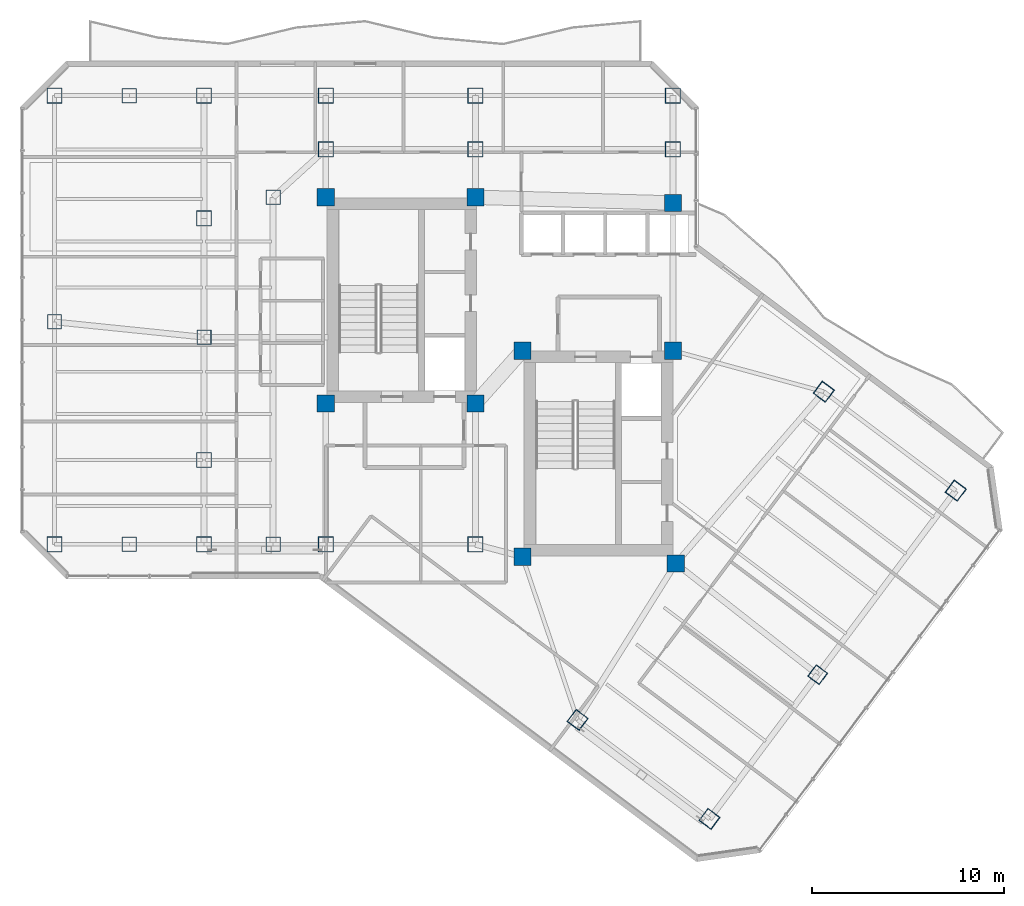
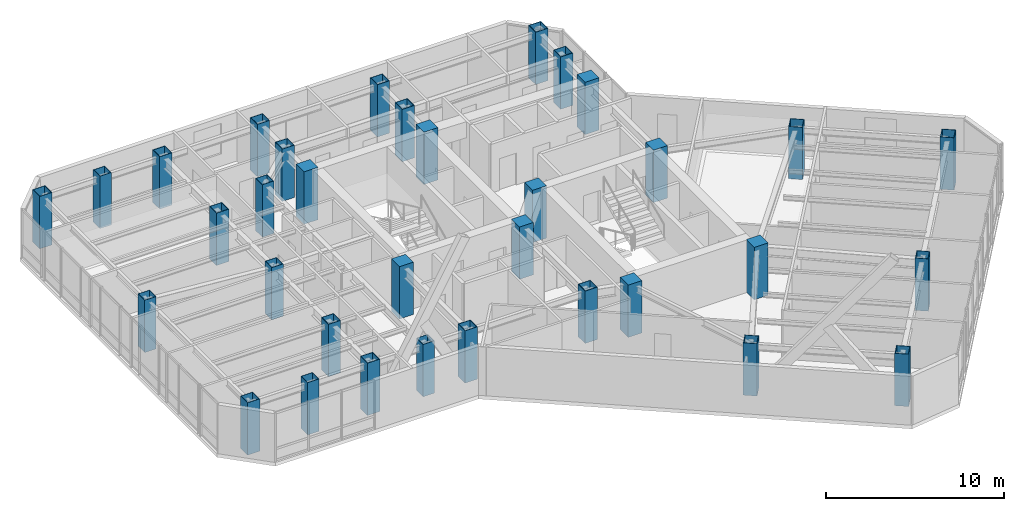
# One storey, part 1 of 27: 34 columns.
"""IFC4 building model written with IfcOpenShell, lengths in metres."""

from ifc_helpers import new_model, si_unit, direction, frame, origin, origin_2d, place, context, subcontext, project, spatial, rectangle, hollow_rectangle, extrude, material, material_profile, profile_set, type_object, element, save


model = new_model("IFC4")

# Units and contexts
model_context = context("Model", 3, precision=1e-05, world=origin(), true_north=direction((0.0, 1.0)))
body_context = subcontext(model_context, "Body", "Model", "MODEL_VIEW")
ifc_project = project(units=[si_unit("LENGTHUNIT", "METRE"), si_unit("AREAUNIT", "SQUARE_METRE"), si_unit("VOLUMEUNIT", "CUBIC_METRE"), si_unit("PLANEANGLEUNIT", "RADIAN"), si_unit("MASSUNIT", "GRAM", prefix="KILO")], contexts=[model_context])

# Site, building, storey
site_placement = place(None, origin())
site = spatial("IfcSite", under=ifc_project, at=site_placement, CompositionType="ELEMENT")
building_placement = place(site_placement, origin())
building = spatial("IfcBuilding", under=site, at=building_placement, Name="Hatsunagi Terrace Concourse", CompositionType="ELEMENT")
storey_placement = place(building_placement, frame((0.0, 0.0, 167.25)))
storey = spatial("IfcBuildingStorey", under=building, at=storey_placement, Name="L44", CompositionType="ELEMENT", Elevation=167.25)

# Columns
ifc_material_1 = material(Name="Concrete Fc48", Category="concrete")
ifc_material_profile_1 = material_profile(ifc_material_1, rectangle(XDim=0.89990234375, YDim=0.89990234375, at=origin_2d()), Name="RC-900x900")
ifc_profile_set_1 = profile_set([ifc_material_profile_1], Name="Concrete Fc48")
column_type_1 = type_object("IfcColumnType", Name="CoreColumn_RC_900x900", PredefinedType="COLUMN", material=ifc_profile_set_1)
for number, where, z_axis, x_axis, name in (
    (1, (25.550048828125, 32.550048828125, 0.0), (0.0, 0.0, 1.0), (1.0, 0.0, 0.0), "Column C-02 L44-CASW"),
    (2, (33.35009765625, 32.550048828125, 0.0), (0.0, 0.0, 1.0), (1.0, 0.0, 0.0), "Column C-02 L44-CASE"),
    (3, (25.550048828125, 43.300048828125, 0.0), (0.0, 0.0, 1.0), (1.0, 0.0, 0.0), "Column C-02 L44-CANW"),
    (4, (33.35009765625, 43.300048828125, 0.0), (0.0, 0.0, 1.0), (1.0, 0.0, 0.0), "Column C-02 L44-CANE"),
    (5, (35.800048828125, 24.550048828125, 0.0), (0.0, 0.0, 1.0), (1.0, 0.0, 0.0), "Column C-02 L44-CBSW"),
    (6, (43.800048828125, 24.199951171875, 0.0), (0.0, 0.0, 1.0), (1.0, 0.0, 0.0), "Column C-02 L44-CBSE"),
    (7, (35.800048828125, 35.300048828125, 0.0), (0.0, 0.0, 1.0), (1.0, 0.0, 0.0), "Column C-02 L44-CBNW"),
    (8, (43.64990234375, 35.300048828125, 0.0), (0.0, 0.0, 1.0), (1.0, 0.0, 0.0), "Column C-02 L44-CBNE"),
    (9, (43.64990234375, 43.0, 0.0), (0.0, 0.0, 1.0), (1.0, 0.0, 0.0), "Column C-02 L44-K3"),
):
    element("IfcColumn", number, at=place(storey_placement, frame(where, z_axis=z_axis, x_axis=x_axis)), inside=storey, type_object=column_type_1, Name=name, PredefinedType="COLUMN", context=body_context, shape_type="SweptSolid", body=[
        extrude(rectangle(XDim=0.89990234375, YDim=0.89990234375, at=origin_2d()), origin(), (0.0, 0.0, 1.0), 3.60009765625),
    ])
ifc_material_2 = material(Name="Steel BCP325T", Category="steel")
ifc_material_profile_2 = material_profile(ifc_material_2, hollow_rectangle(XDim=0.75, YDim=0.75, WallThickness=0.028076171875, at=origin_2d()), Name="BCP-750x750x28")
ifc_profile_set_2 = profile_set([ifc_material_profile_2], Name="Steel BCP325T")
column_type_2 = type_object("IfcColumnType", Name="TowerBoxColumn_750x750x28", PredefinedType="COLUMN", material=ifc_profile_set_2)
for number, where, z_axis, x_axis, name in (
    (10, (22.800048828125, 25.199951171875, 0.0), (0.0, 0.0, 1.0), (1.0, 0.0, 0.0), "Column C-07 L44-CW1"),
    (11, (22.800048828125, 43.300048828125, 0.0), (0.0, 0.0, 1.0), (1.0, 0.0, 0.0), "Column C-07 L44-CW2"),
    (12, (11.39990234375, 36.800048828125, 0.0), (0.0, 0.0, 1.0), (1.0, 0.0, 0.0), "Column C-07 L44-WT1"),
    (13, (19.199951171875, 36.0, 0.0), (0.0, 0.0, 1.0), (1.0, 0.0, 0.0), "Column C-07 L44-WT2"),
    (14, (15.300048828125, 25.199951171875, 0.0), (0.0, 0.0, 1.0), (1.0, 0.0, 0.0), "Column C-07 L44-WT3"),
    (15, (15.300048828125, 48.60009765625, 0.0), (0.0, 0.0, 1.0), (1.0, 0.0, 0.0), "Column C-07 L44-WT4"),
    (16, (51.199951171875, 18.39990234375, 0.0), (0.0, 0.0, 1.0), (0.799999996291, -0.600000004945, 0.0), "Column C-07 L44-SEM2"),
):
    element("IfcColumn", number, at=place(storey_placement, frame(where, z_axis=z_axis, x_axis=x_axis)), inside=storey, type_object=column_type_2, Name=name, PredefinedType="COLUMN", context=body_context, shape_type="SweptSolid", body=[
        extrude(hollow_rectangle(XDim=0.75, YDim=0.75, WallThickness=0.028076171875, at=origin_2d()), origin(), (0.0, 0.0, 1.0), 3.60009765625),
    ])
ifc_material_3 = material(Name="Steel BCP325T", Category="steel")
ifc_material_profile_3 = material_profile(ifc_material_3, hollow_rectangle(XDim=0.800048828125, YDim=0.800048828125, WallThickness=0.031982421875, at=origin_2d()), Name="BCP-800x800x32")
ifc_profile_set_3 = profile_set([ifc_material_profile_3], Name="Steel BCP325T")
column_type_3 = type_object("IfcColumnType", Name="TowerBoxColumn_800x800x32", PredefinedType="COLUMN", material=ifc_profile_set_3)
for number, where, z_axis, x_axis, name in (
    (17, (25.550048828125, 25.199951171875, 0.0), (0.0, 0.0, 1.0), (1.0, 0.0, 0.0), "Column C-06 L44-K1"),
    (18, (33.35009765625, 25.199951171875, 0.0), (0.0, 0.0, 1.0), (1.0, 0.0, 0.0), "Column C-06 L44-K2"),
    (19, (25.550048828125, 45.800048828125, 0.0), (0.0, 0.0, 1.0), (1.0, 0.0, 0.0), "Column C-06 L44-CN1"),
    (20, (33.35009765625, 45.800048828125, 0.0), (0.0, 0.0, 1.0), (1.0, 0.0, 0.0), "Column C-06 L44-CN2"),
    (21, (43.64990234375, 45.800048828125, 0.0), (0.0, 0.0, 1.0), (1.0, 0.0, 0.0), "Column C-06 L44-CN3"),
    (22, (11.39990234375, 25.199951171875, 0.0), (0.0, 0.0, 1.0), (1.0, 0.0, 0.0), "Column C-06 L44-WS2"),
    (23, (11.39990234375, 48.60009765625, 0.0), (0.0, 0.0, 1.0), (1.0, 0.0, 0.0), "Column C-06 L44-WN2"),
    (24, (19.199951171875, 48.60009765625, 0.0), (0.0, 0.0, 1.0), (1.0, 0.0, 0.0), "Column C-06 L44-WN3"),
    (25, (25.550048828125, 48.60009765625, 0.0), (0.0, 0.0, 1.0), (1.0, 0.0, 0.0), "Column C-06 L44-WN4"),
    (26, (33.35009765625, 48.60009765625, 0.0), (0.0, 0.0, 1.0), (1.0, 0.0, 0.0), "Column C-06 L44-WN5"),
    (27, (43.64990234375, 48.60009765625, 0.0), (0.0, 0.0, 1.0), (1.0, 0.0, 0.0), "Column C-06 L44-WN6"),
    (28, (19.199951171875, 25.199951171875, 0.0), (0.0, 0.0, 1.0), (1.0, 0.0, 0.0), "Column C-06 L44-WS3"),
    (29, (19.199951171875, 29.60009765625, 0.0), (0.0, 0.0, 1.0), (1.0, 0.0, 0.0), "Column C-06 L44-WR1"),
    (30, (19.199951171875, 42.199951171875, 0.0), (0.0, 0.0, 1.0), (1.0, 0.0, 0.0), "Column C-06 L44-WR2"),
    (31, (38.679931640625, 16.0400390625, 0.0), (0.0, 0.0, 1.0), (0.799999996291, -0.600000004945, 0.0), "Column C-06 L44-SES1"),
    (32, (51.52001953125, 33.159912109375, 0.0), (0.0, 0.0, 1.0), (0.799999996291, -0.600000004945, 0.0), "Column C-06 L44-SEN1"),
    (33, (45.56005859375, 10.8798828125, 0.0), (0.0, 0.0, 1.0), (0.799999996291, -0.600000004945, 0.0), "Column C-06 L44-SES2"),
    (34, (58.39990234375, 28.0, 0.0), (0.0, 0.0, 1.0), (0.799999996291, -0.600000004945, 0.0), "Column C-06 L44-SEN2"),
):
    element("IfcColumn", number, at=place(storey_placement, frame(where, z_axis=z_axis, x_axis=x_axis)), inside=storey, type_object=column_type_3, Name=name, PredefinedType="COLUMN", context=body_context, shape_type="SweptSolid", body=[
        extrude(hollow_rectangle(XDim=0.800048828125, YDim=0.800048828125, WallThickness=0.031982421875, at=origin_2d()), origin(), (0.0, 0.0, 1.0), 3.60009765625),
    ])

save(model, "model.ifc")
